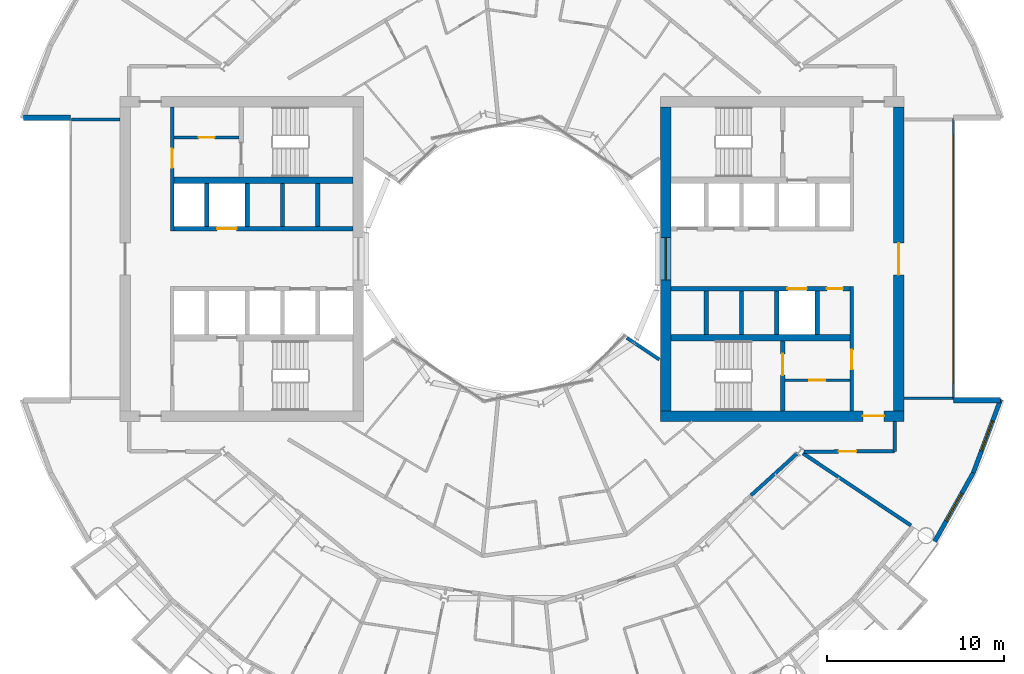
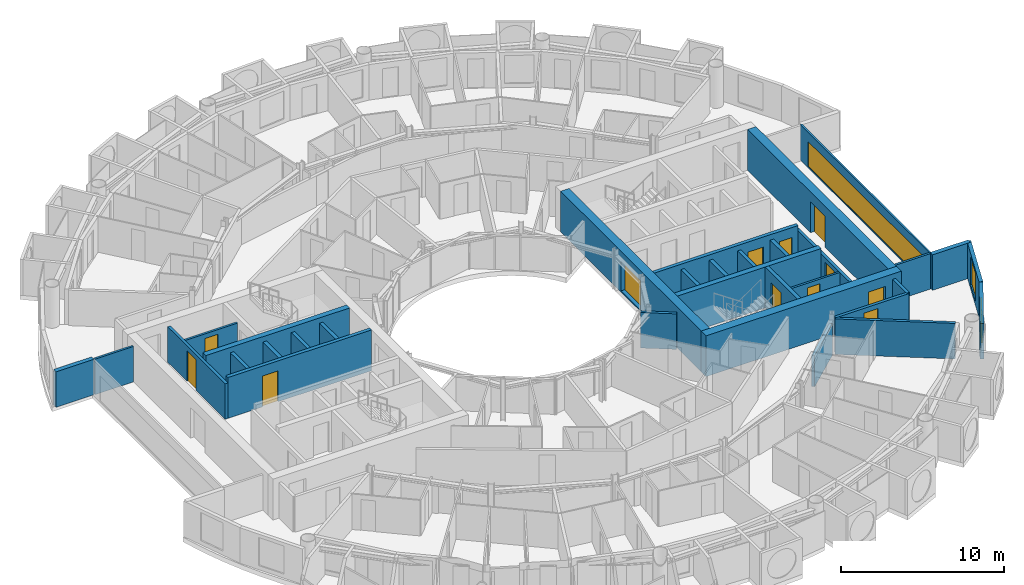
# One storey, part 18 of 27: 32 walls, 11 doors, 4 windows, 15 openings.
"""IFC4 building model written with IfcOpenShell, lengths in metres."""

from ifc_helpers import new_model, si_unit, direction, frame, frame_2d, origin, place, context, subcontext, project, spatial, rectangle, extrude, material, layer, layer_set, type_object, element, fill, save


model = new_model("IFC4")

# Units and contexts
model_context = context("Model", 3, precision=1e-05, world=origin(), true_north=direction((0.0, 1.0)))
body_context = subcontext(model_context, "Body", "Model", "MODEL_VIEW")
ifc_project = project(units=[si_unit("LENGTHUNIT", "METRE"), si_unit("AREAUNIT", "SQUARE_METRE"), si_unit("VOLUMEUNIT", "CUBIC_METRE"), si_unit("PLANEANGLEUNIT", "RADIAN"), si_unit("MASSUNIT", "GRAM", prefix="KILO")], contexts=[model_context])

# Site, building, storey
site_placement = place(None, origin())
site = spatial("IfcSite", under=ifc_project, at=site_placement, CompositionType="ELEMENT")
building_placement = place(site_placement, origin())
building = spatial("IfcBuilding", under=site, at=building_placement, Name="Maasbend Ring Residences", CompositionType="ELEMENT")
storey_placement = place(building_placement, frame((0.0, 0.0, 136.050048828125)))
storey = spatial("IfcBuildingStorey", under=building, at=storey_placement, Name="L39", CompositionType="ELEMENT", Elevation=136.050048828125)

# Wall, openings, doors
ifc_material_1 = material(Name="Concrete C60/75", Category="concrete")
ifc_layer_1 = layer(ifc_material_1, 0.25)
ifc_layer_set_1 = layer_set([ifc_layer_1], Name="Concrete C60/75")
wall_type_1 = type_object("IfcWallType", Name="CORE WALL 250 C60/75", PredefinedType="SHEAR", material=ifc_layer_set_1)
wall_1_placement = place(storey_placement, frame((19.14990234375, -1.699951171875, 0.0), z_axis=(0.0, 0.0, 1.0), x_axis=(-1.0, 0.0, 0.0)))
wall_1 = element("IfcWall", 1, at=wall_1_placement, inside=storey, type_object=wall_type_1, Name="L39 core E wall SPS", PredefinedType="SHEAR", context=body_context, shape_type="SweptSolid", body=[
    extrude(rectangle(XDim=10.14990234375, YDim=0.25, at=frame_2d((5.074951171875, 0.0))), origin(), (0.0, 0.0, 1.0), 3.050048828125),
])
opening_1_placement = place(wall_1_placement, frame((2.449951171875, 0.0, 0.0)))
opening_1 = element("IfcOpeningElement", 2, at=opening_1_placement, cuts=wall_1, Name="Opening LD-E3905", PredefinedType="OPENING", context=body_context, shape_type="SweptSolid", body=[
    extrude(rectangle(XDim=1.10009765625, YDim=2.300048828125, at=frame_2d((0.550048828125, 1.14990234375))), frame((0.0, 0.135009765625, 0.0), z_axis=(0.0, -1.0, 0.0), x_axis=(1.0, 0.0, 0.0)), (0.0, 0.0, 1.0), 0.27001953125),
])
opening_2_placement = place(wall_1_placement, frame((0.41259765625, 0.0, 0.0)))
opening_2 = element("IfcOpeningElement", 3, at=opening_2_placement, cuts=wall_1, Name="Opening D-E3906", PredefinedType="OPENING", context=body_context, shape_type="SweptSolid", body=[
    extrude(rectangle(XDim=0.89990234375, YDim=2.300048828125, at=frame_2d((0.449951171875, 1.14990234375))), frame((0.0, 0.135009765625, 0.0), z_axis=(0.0, -1.0, 0.0), x_axis=(1.0, 0.0, 0.0)), (0.0, 0.0, 1.0), 0.27001953125),
])
ifc_material_2 = material(Name="Stainless steel 316", Category="steel")
door_type_1 = type_object("IfcDoorType", Name="LANDING DOOR 1100 X 2300 FD60", OperationType="DOUBLE_DOOR_SLIDING", PredefinedType="DOOR", material=ifc_material_2)
door_1_placement = place(opening_1_placement, origin())
door_1 = element("IfcDoor", 4, at=door_1_placement, inside=storey, type_object=door_type_1, Name="Landing door SV-E L39", OperationType="DOUBLE_DOOR_SLIDING", OverallHeight=2.300048828125, OverallWidth=1.10009765625, PredefinedType="DOOR", context=body_context, shape_type="SweptSolid", body=[
    extrude(rectangle(XDim=1.10009765625, YDim=2.300048828125, at=frame_2d((0.550048828125, 1.14990234375))), frame((0.0, 0.02490234375, 0.0), z_axis=(0.0, -1.0, 0.0), x_axis=(1.0, 0.0, 0.0)), (0.0, 0.0, 1.0), 0.050048828125),
])
fill(opening_1, door_1)
ifc_material_3 = material(Name="Steel, powder coated", Category="steel")
door_type_2 = type_object("IfcDoorType", Name="ROOM DOOR 900 X 2300 FD30S", OperationType="NOTDEFINED", PredefinedType="DOOR", material=ifc_material_3)
door_2_placement = place(opening_2_placement, origin())
door_2 = element("IfcDoor", 5, at=door_2_placement, inside=storey, type_object=door_type_2, Name="Room door L39", OperationType="SINGLE_SWING_RIGHT", OverallHeight=2.300048828125, OverallWidth=0.89990234375, PredefinedType="DOOR", context=body_context, shape_type="SweptSolid", body=[
    extrude(rectangle(XDim=0.89990234375, YDim=2.300048828125, at=frame_2d((0.449951171875, 1.14990234375))), frame((0.0, 0.02490234375, 0.0), z_axis=(0.0, -1.0, 0.0), x_axis=(1.0, 0.0, 0.0)), (0.0, 0.0, 1.0), 0.050048828125),
])
fill(opening_2, door_2)

# Wall, opening, door
wall_2_placement = place(storey_placement, frame((15.324951171875, -8.60009765625, 0.0), z_axis=(0.0, 0.0, 1.0), x_axis=(0.0, 1.0, 0.0)))
wall_2 = element("IfcWall", 6, at=wall_2_placement, inside=storey, type_object=wall_type_1, Name="L39 core E wall STES", PredefinedType="SHEAR", context=body_context, shape_type="SweptSolid", body=[
    extrude(rectangle(XDim=3.9501953125, YDim=0.25, at=frame_2d((1.97509765625, 0.0))), origin(), (0.0, 0.0, 1.0), 3.050048828125),
])
opening_3_placement = place(wall_2_placement, frame((2.02490234375, 0.0, 0.0)))
opening_3 = element("IfcOpeningElement", 7, at=opening_3_placement, cuts=wall_2, Name="Opening D-E3909", PredefinedType="OPENING", context=body_context, shape_type="SweptSolid", body=[
    extrude(rectangle(XDim=1.199951171875, YDim=2.300048828125, at=frame_2d((0.60009765625, 1.14990234375))), frame((0.0, 0.135009765625, 0.0), z_axis=(0.0, -1.0, 0.0), x_axis=(1.0, 0.0, 0.0)), (0.0, 0.0, 1.0), 0.27001953125),
])
ifc_material_4 = material(Name="Steel, powder coated", Category="steel")
door_type_3 = type_object("IfcDoorType", Name="STAIR DOOR 1200 X 2300 FD60", OperationType="NOTDEFINED", PredefinedType="DOOR", material=ifc_material_4)
door_3_placement = place(opening_3_placement, origin())
door_3 = element("IfcDoor", 8, at=door_3_placement, inside=storey, type_object=door_type_3, Name="Stair door ST-E L39", OperationType="SINGLE_SWING_LEFT", OverallHeight=2.300048828125, OverallWidth=1.199951171875, PredefinedType="DOOR", context=body_context, shape_type="SweptSolid", body=[
    extrude(rectangle(XDim=1.199951171875, YDim=2.300048828125, at=frame_2d((0.60009765625, 1.14990234375))), frame((0.0, 0.02490234375, 0.0), z_axis=(0.0, -1.0, 0.0), x_axis=(1.0, 0.0, 0.0)), (0.0, 0.0, 1.0), 0.050048828125),
])
fill(opening_3, door_3)

wall_3_placement = place(storey_placement, frame((-9.0, 1.699951171875, 0.0), z_axis=(0.0, 0.0, 1.0), x_axis=(-1.0, 0.0, 0.0)))
wall_3 = element("IfcWall", 9, at=wall_3_placement, inside=storey, type_object=wall_type_1, Name="L39 core W wall SPS", PredefinedType="SHEAR", context=body_context, shape_type="SweptSolid", body=[
    extrude(rectangle(XDim=10.14990234375, YDim=0.25, at=frame_2d((5.074951171875, 0.0))), origin(), (0.0, 0.0, 1.0), 3.050048828125),
])
opening_4_placement = place(wall_3_placement, frame((6.60009765625, 0.0, 0.0)))
opening_4 = element("IfcOpeningElement", 10, at=opening_4_placement, cuts=wall_3, Name="Opening LD-W3905", PredefinedType="OPENING", context=body_context, shape_type="SweptSolid", body=[
    extrude(rectangle(XDim=1.10009765625, YDim=2.300048828125, at=frame_2d((0.550048828125, 1.14990234375))), frame((0.0, 0.135009765625, 0.0), z_axis=(0.0, -1.0, 0.0), x_axis=(1.0, 0.0, 0.0)), (0.0, 0.0, 1.0), 0.27001953125),
])
door_4_placement = place(opening_4_placement, origin())
door_4 = element("IfcDoor", 11, at=door_4_placement, inside=storey, type_object=door_type_1, Name="Landing door SV-W L39", OperationType="DOUBLE_DOOR_SLIDING", OverallHeight=2.300048828125, OverallWidth=1.10009765625, PredefinedType="DOOR", context=body_context, shape_type="SweptSolid", body=[
    extrude(rectangle(XDim=1.10009765625, YDim=2.300048828125, at=frame_2d((0.550048828125, 1.14990234375))), frame((0.0, 0.02490234375, 0.0), z_axis=(0.0, -1.0, 0.0), x_axis=(1.0, 0.0, 0.0)), (0.0, 0.0, 1.0), 0.050048828125),
])
fill(opening_4, door_4)

# Walls
ifc_material_5 = material(Name="Concrete C60/75", Category="concrete")
ifc_layer_2 = layer(ifc_material_5, 0.375)
ifc_layer_set_2 = layer_set([ifc_layer_2], Name="Concrete C60/75")
wall_type_2 = type_object("IfcWallType", Name="CORE WALL 375 C60/75", PredefinedType="SHEAR", material=ifc_layer_set_2)
for number, where, z_axis, x_axis, name in (
    (12, (9.0, -4.46240234375, 0.0), (0.0, 0.0, 1.0), (1.0, 0.0, 0.0), "L39 core E wall BS"),
    (13, (-9.0, 4.46240234375, 0.0), (0.0, 0.0, 1.0), (-1.0, 0.0, 0.0), "L39 core W wall BS"),
):
    element("IfcWall", number, at=place(storey_placement, frame(where, z_axis=z_axis, x_axis=x_axis)), inside=storey, type_object=wall_type_2, Name=name, PredefinedType="SHEAR", context=body_context, shape_type="SweptSolid", body=[
        extrude(rectangle(XDim=10.14990234375, YDim=0.375, at=frame_2d((5.074951171875, 0.0))), origin(), (0.0, 0.0, 1.0), 3.050048828125),
    ])

# Wall, opening, door
ifc_material_6 = material(Name="Concrete C60/75", Category="concrete")
ifc_layer_3 = layer(ifc_material_6, 0.60009765625)
ifc_layer_set_3 = layer_set([ifc_layer_3], Name="Concrete C60/75")
wall_type_3 = type_object("IfcWallType", Name="CORE WALL 600 C60/75", PredefinedType="SHEAR", material=ifc_layer_set_3)
wall_4_placement = place(storey_placement, frame((8.39990234375, -8.89990234375, 0.0), z_axis=(0.0, 0.0, 1.0), x_axis=(1.0, 0.0, 0.0)))
wall_4 = element("IfcWall", 14, at=wall_4_placement, inside=storey, type_object=wall_type_3, Name="L39 core E wall PS", PredefinedType="SHEAR", context=body_context, shape_type="SweptSolid", body=[
    extrude(rectangle(XDim=13.800048828125, YDim=0.60009765625, at=frame_2d((6.89990234375, 0.0))), origin(), (0.0, 0.0, 1.0), 3.050048828125),
])
opening_5_placement = place(wall_4_placement, frame((11.47509765625, 0.0, 0.0)))
opening_5 = element("IfcOpeningElement", 15, at=opening_5_placement, cuts=wall_4, Name="Opening D-E3913", PredefinedType="OPENING", context=body_context, shape_type="SweptSolid", body=[
    extrude(rectangle(XDim=1.199951171875, YDim=2.300048828125, at=frame_2d((0.60009765625, 1.14990234375))), frame((0.0, 0.31005859375, 0.0), z_axis=(0.0, -1.0, 0.0), x_axis=(1.0, 0.0, 0.0)), (0.0, 0.0, 1.0), 0.6201171875),
])
ifc_material_7 = material(Name="Steel, powder coated", Category="steel")
door_type_4 = type_object("IfcDoorType", Name="CORRIDOR DOOR 1200 X 2300 FD30S", OperationType="NOTDEFINED", PredefinedType="DOOR", material=ifc_material_7)
door_5_placement = place(opening_5_placement, origin())
door_5 = element("IfcDoor", 16, at=door_5_placement, inside=storey, type_object=door_type_4, Name="Corridor door L39", OperationType="SINGLE_SWING_LEFT", OverallHeight=2.300048828125, OverallWidth=1.199951171875, PredefinedType="DOOR", context=body_context, shape_type="SweptSolid", body=[
    extrude(rectangle(XDim=1.199951171875, YDim=2.300048828125, at=frame_2d((0.60009765625, 1.14990234375))), frame((0.0, 0.02490234375, 0.0), z_axis=(0.0, -1.0, 0.0), x_axis=(1.0, 0.0, 0.0)), (0.0, 0.0, 1.0), 0.050048828125),
])
fill(opening_5, door_5)

wall_5_placement = place(storey_placement, frame((21.89990234375, 8.60009765625, 0.0), z_axis=(0.0, 0.0, 1.0), x_axis=(0.0, -1.0, 0.0)))
wall_5 = element("IfcWall", 17, at=wall_5_placement, inside=storey, type_object=wall_type_3, Name="L39 core E wall POUT", PredefinedType="SHEAR", context=body_context, shape_type="SweptSolid", body=[
    extrude(rectangle(XDim=17.2001953125, YDim=0.60009765625, at=frame_2d((8.60009765625, 0.0))), origin(), (0.0, 0.0, 1.0), 3.050048828125),
])
opening_6_placement = place(wall_5_placement, frame((7.699951171875, 0.0, 0.0)))
opening_6 = element("IfcOpeningElement", 18, at=opening_6_placement, cuts=wall_5, Name="Opening D-E3914", PredefinedType="OPENING", context=body_context, shape_type="SweptSolid", body=[
    extrude(rectangle(XDim=1.800048828125, YDim=2.300048828125, at=frame_2d((0.89990234375, 1.14990234375))), frame((0.0, 0.31005859375, 0.0), z_axis=(0.0, -1.0, 0.0), x_axis=(1.0, 0.0, 0.0)), (0.0, 0.0, 1.0), 0.6201171875),
])
ifc_material_8 = material(Name="Aluminium frame, clear glass", Category="aluminium")
door_type_5 = type_object("IfcDoorType", Name="ENTRANCE DOOR 1800 X 2300 FD60", OperationType="NOTDEFINED", PredefinedType="DOOR", material=ifc_material_8)
door_6_placement = place(opening_6_placement, origin())
door_6 = element("IfcDoor", 19, at=door_6_placement, inside=storey, type_object=door_type_5, Name="Lobby glazed door L39", OperationType="SINGLE_SWING_LEFT", OverallHeight=2.300048828125, OverallWidth=1.800048828125, PredefinedType="DOOR", context=body_context, shape_type="SweptSolid", body=[
    extrude(rectangle(XDim=1.800048828125, YDim=2.300048828125, at=frame_2d((0.89990234375, 1.14990234375))), frame((0.0, 0.02490234375, 0.0), z_axis=(0.0, -1.0, 0.0), x_axis=(1.0, 0.0, 0.0)), (0.0, 0.0, 1.0), 0.050048828125),
])
fill(opening_6, door_6)

# Wall, opening, window
wall_6_placement = place(storey_placement, frame((8.699951171875, -8.60009765625, 0.0), z_axis=(0.0, 0.0, 1.0), x_axis=(0.0, 1.0, 0.0)))
wall_6 = element("IfcWall", 20, at=wall_6_placement, inside=storey, type_object=wall_type_3, Name="L39 core E wall PIN", PredefinedType="SHEAR", context=body_context, shape_type="SweptSolid", body=[
    extrude(rectangle(XDim=17.2001953125, YDim=0.60009765625, at=frame_2d((8.60009765625, 0.0))), origin(), (0.0, 0.0, 1.0), 3.050048828125),
])
opening_7_placement = place(wall_6_placement, frame((7.39990234375, 0.0, 0.10009765625)))
opening_7 = element("IfcOpeningElement", 21, at=opening_7_placement, cuts=wall_6, Name="Opening W-E3901", PredefinedType="OPENING", context=body_context, shape_type="SweptSolid", body=[
    extrude(rectangle(XDim=2.39990234375, YDim=2.199951171875, at=frame_2d((1.199951171875, 1.10009765625))), frame((0.0, 0.31005859375, 0.0), z_axis=(0.0, -1.0, 0.0), x_axis=(1.0, 0.0, 0.0)), (0.0, 0.0, 1.0), 0.6201171875),
])
ifc_material_9 = material(Name="Aluminium frame and clear glass", Category="aluminium")
window_type_1 = type_object("IfcWindowType", Name="FIXED WINDOW 2400 X 2200", PartitioningType="SINGLE_PANEL", PredefinedType="WINDOW", material=ifc_material_9)
window_1_placement = place(opening_7_placement, origin())
window_1 = element("IfcWindow", 22, at=window_1_placement, inside=storey, type_object=window_type_1, Name="Lobby window L39", OverallHeight=2.199951171875, OverallWidth=2.39990234375, PartitioningType="SINGLE_PANEL", PredefinedType="WINDOW", context=body_context, shape_type="SweptSolid", body=[
    extrude(rectangle(XDim=2.39990234375, YDim=2.199951171875, at=frame_2d((1.199951171875, 1.10009765625))), frame((0.0, 0.030029296875, 0.0), z_axis=(0.0, -1.0, 0.0), x_axis=(1.0, 0.0, 0.0)), (0.0, 0.0, 1.0), 0.06005859375),
])
fill(opening_7, window_1)

# Walls
ifc_material_10 = material(Name="Concrete C30/37", Category="concrete")
ifc_layer_4 = layer(ifc_material_10, 0.199951171875)
ifc_layer_set_4 = layer_set([ifc_layer_4], Name="Concrete C30/37")
wall_type_4 = type_object("IfcWallType", Name="CORRIDOR WALL 200 CONCRETE", PredefinedType="PARTITIONING", material=ifc_layer_set_4)
wall_7_placement = place(storey_placement, frame((21.675048828125, -10.89990234375, 0.0), z_axis=(0.0, 0.0, 1.0), x_axis=(0.0, 1.0, 0.0)))
element("IfcWall", 23, at=wall_7_placement, inside=storey, type_object=wall_type_4, Name="U-L39-w003", PredefinedType="PARTITIONING", context=body_context, shape_type="SweptSolid", body=[
    extrude(rectangle(XDim=1.699951171875, YDim=0.199951171875, at=frame_2d((0.85009765625, 0.0))), origin(), (0.0, 0.0, 1.0), 2.64990234375),
])
wall_8_placement = place(storey_placement, frame((13.544921875, -13.384033203125, 0.0), z_axis=(0.0, 0.0, 1.0), x_axis=(0.740607766684, 0.671937598239, 0.0)))
element("IfcWall", 24, at=wall_8_placement, inside=storey, type_object=wall_type_4, Name="U-L39-w014", PredefinedType="PARTITIONING", context=body_context, shape_type="SweptSolid", body=[
    extrude(rectangle(XDim=3.55517578125, YDim=0.199951171875, at=frame_2d((1.777587890625, 0.0))), origin(), (0.0, 0.0, 1.0), 2.33984375),
])

# Wall, opening, door
wall_9_placement = place(storey_placement, frame((16.5400390625, -10.9130859375, 0.0), z_axis=(0.0, 0.0, 1.0), x_axis=(0.99999670426, 0.002567385634, 0.0)))
wall_9 = element("IfcWall", 25, at=wall_9_placement, inside=storey, type_object=wall_type_4, Name="U-L39-w026", PredefinedType="PARTITIONING", context=body_context, shape_type="SweptSolid", body=[
    extrude(rectangle(XDim=5.135009765625, YDim=0.199951171875, at=frame_2d((2.5673828125, 0.0))), origin(), (0.0, 0.0, 1.0), 2.64990234375),
])
opening_8_placement = place(wall_9_placement, frame((1.965087890625, 0.0, 0.0)))
opening_8 = element("IfcOpeningElement", 26, at=opening_8_placement, cuts=wall_9, Name="Opening D-3973", PredefinedType="OPENING", context=body_context, shape_type="SweptSolid", body=[
    extrude(rectangle(XDim=1.0, YDim=2.300048828125, at=frame_2d((0.5, 1.14990234375))), frame((0.0, 0.10986328125, 0.0), z_axis=(0.0, -1.0, 0.0), x_axis=(1.0, 0.0, 0.0)), (0.0, 0.0, 1.0), 0.219970703125),
])
ifc_material_11 = material(Name="Timber, painted", Category="wood")
door_type_6 = type_object("IfcDoorType", Name="ROOM DOOR 1000 X 2300", OperationType="NOTDEFINED", PredefinedType="DOOR", material=ifc_material_11)
door_7_placement = place(opening_8_placement, origin())
door_7 = element("IfcDoor", 27, at=door_7_placement, inside=storey, type_object=door_type_6, Name="D-3973", OperationType="SINGLE_SWING_LEFT", OverallHeight=2.300048828125, OverallWidth=1.0, PredefinedType="DOOR", context=body_context, shape_type="SweptSolid", body=[
    extrude(rectangle(XDim=1.0, YDim=2.300048828125, at=frame_2d((0.5, 1.14990234375))), frame((0.0, 0.02490234375, 0.0), z_axis=(0.0, -1.0, 0.0), x_axis=(1.0, 0.0, 0.0)), (0.0, 0.0, 1.0), 0.050048828125),
])
fill(opening_8, door_7)

# Wall, opening, window
ifc_material_12 = material(Name="Aluminium clad insulated panel", Category="aluminium")
ifc_layer_5 = layer(ifc_material_12, 0.25)
ifc_layer_set_5 = layer_set([ifc_layer_5], Name="EW-HORN")
wall_type_5 = type_object("IfcWallType", Name="EW-HORN", PredefinedType="SOLIDWALL", material=ifc_layer_set_5)
wall_10_placement = place(storey_placement, frame((23.946044921875, -16.0, 0.0), z_axis=(0.0, 0.0, 1.0), x_axis=(0.489696356642, 0.871893042919, 0.0)))
wall_10 = element("IfcWall", 28, at=wall_10_placement, inside=storey, type_object=wall_type_5, Name="Horn wall 2.1", PredefinedType="SOLIDWALL", context=body_context, shape_type="SweptSolid", body=[
    extrude(rectangle(XDim=4.45361328125, YDim=0.25, at=frame_2d((2.226806640625, 0.0))), origin(), (0.0, 0.0, 1.0), 2.64990234375),
])
opening_9_placement = place(wall_10_placement, frame((1.32666015625, 0.0, 0.300048828125)))
opening_9 = element("IfcOpeningElement", 29, at=opening_9_placement, cuts=wall_10, Name="Opening W-BX", PredefinedType="OPENING", context=body_context, shape_type="SweptSolid", body=[
    extrude(rectangle(XDim=1.800048828125, YDim=2.10009765625, at=frame_2d((0.89990234375, 1.050048828125))), frame((0.0, 0.135009765625, 0.0), z_axis=(0.0, -1.0, 0.0), x_axis=(1.0, 0.0, 0.0)), (0.0, 0.0, 1.0), 0.27001953125),
])
ifc_material_13 = material(Name="Aluminium and clear glass", Category="aluminium")
window_type_2 = type_object("IfcWindowType", Name="W-BX", PartitioningType="DOUBLE_PANEL_VERTICAL", PredefinedType="WINDOW", material=ifc_material_13)
window_2_placement = place(opening_9_placement, origin())
window_2 = element("IfcWindow", 30, at=window_2_placement, inside=storey, type_object=window_type_2, Name="Horn window 2.1", OverallHeight=2.10009765625, OverallWidth=1.800048828125, PartitioningType="SINGLE_PANEL", PredefinedType="WINDOW", context=body_context, shape_type="SweptSolid", body=[
    extrude(rectangle(XDim=1.800048828125, YDim=2.10009765625, at=frame_2d((0.89990234375, 1.050048828125))), frame((0.0, 0.030029296875, 0.0), z_axis=(0.0, -1.0, 0.0), x_axis=(1.0, 0.0, 0.0)), (0.0, 0.0, 1.0), 0.06005859375),
])
fill(opening_9, window_2)

wall_11_placement = place(storey_placement, frame((26.126953125, -12.116943359375, 0.0), z_axis=(0.0, 0.0, 1.0), x_axis=(0.349247811493, 0.937030397675, 0.0)))
wall_11 = element("IfcWall", 31, at=wall_11_placement, inside=storey, type_object=wall_type_5, Name="Horn wall 2.2", PredefinedType="SOLIDWALL", context=body_context, shape_type="SweptSolid", body=[
    extrude(rectangle(XDim=4.4521484375, YDim=0.25, at=frame_2d((2.22607421875, 0.0))), origin(), (0.0, 0.0, 1.0), 2.64990234375),
])
opening_10_placement = place(wall_11_placement, frame((1.32666015625, 0.0, 0.300048828125)))
opening_10 = element("IfcOpeningElement", 32, at=opening_10_placement, cuts=wall_11, Name="Opening W-BX", PredefinedType="OPENING", context=body_context, shape_type="SweptSolid", body=[
    extrude(rectangle(XDim=1.800048828125, YDim=2.10009765625, at=frame_2d((0.89990234375, 1.050048828125))), frame((0.0, 0.135009765625, 0.0), z_axis=(0.0, -1.0, 0.0), x_axis=(1.0, 0.0, 0.0)), (0.0, 0.0, 1.0), 0.27001953125),
])
window_3_placement = place(opening_10_placement, origin())
window_3 = element("IfcWindow", 33, at=window_3_placement, inside=storey, type_object=window_type_2, Name="Horn window 2.2", OverallHeight=2.10009765625, OverallWidth=1.800048828125, PartitioningType="SINGLE_PANEL", PredefinedType="WINDOW", context=body_context, shape_type="SweptSolid", body=[
    extrude(rectangle(XDim=1.800048828125, YDim=2.10009765625, at=frame_2d((0.89990234375, 1.050048828125))), frame((0.0, 0.030029296875, 0.0), z_axis=(0.0, -1.0, 0.0), x_axis=(1.0, 0.0, 0.0)), (0.0, 0.0, 1.0), 0.06005859375),
])
fill(opening_10, window_3)

# Walls
ifc_material_14 = material(Name="Aluminium clad insulated panel", Category="aluminium")
ifc_layer_6 = layer(ifc_material_14, 0.300048828125)
ifc_layer_set_6 = layer_set([ifc_layer_6], Name="EW-RET")
wall_type_6 = type_object("IfcWallType", Name="EW-RET", PredefinedType="SOLIDWALL", material=ifc_layer_set_6)
for number, where, z_axis, x_axis, name in (
    (34, (25.0, -8.0, 0.0), (0.0, 0.0, 1.0), (1.0, 0.0, 0.0), "Notch return wall east south"),
    (35, (-25.0, 8.0, 0.0), (0.0, 0.0, 1.0), (-1.0, 0.0, 0.0), "Notch return wall west north"),
):
    element("IfcWall", number, at=place(storey_placement, frame(where, z_axis=z_axis, x_axis=x_axis)), inside=storey, type_object=wall_type_6, Name=name, PredefinedType="SOLIDWALL", context=body_context, shape_type="SweptSolid", body=[
        extrude(rectangle(XDim=2.6669921875, YDim=0.300048828125, at=frame_2d((1.33349609375, 0.0))), origin(), (0.0, 0.0, 1.0), 2.64990234375),
    ])

# Wall, opening, window
ifc_material_15 = material(Name="Aluminium frame and clear glass", Category="aluminium")
ifc_layer_7 = layer(ifc_material_15, 0.1201171875)
ifc_layer_set_7 = layer_set([ifc_layer_7], Name="GLAZED SCREEN WALL 120 EI 60")
wall_type_7 = type_object("IfcWallType", Name="GLAZED SCREEN WALL 120 EI 60", PredefinedType="PARTITIONING", material=ifc_layer_set_7)
wall_12_placement = place(storey_placement, frame((25.0, -7.949951171875, 0.0), z_axis=(0.0, 0.0, 1.0), x_axis=(0.0, 1.0, 0.0)))
wall_12 = element("IfcWall", 36, at=wall_12_placement, inside=storey, type_object=wall_type_7, Name="L39 core E wall FACE", PredefinedType="PARTITIONING", context=body_context, shape_type="SweptSolid", body=[
    extrude(rectangle(XDim=15.89990234375, YDim=0.1201171875, at=frame_2d((7.949951171875, 0.0))), origin(), (0.0, 0.0, 1.0), 2.64990234375),
])
opening_11_placement = place(wall_12_placement, frame((0.949951171875, 0.0, 0.10009765625)))
opening_11 = element("IfcOpeningElement", 37, at=opening_11_placement, cuts=wall_12, Name="Opening W-E3902", PredefinedType="OPENING", context=body_context, shape_type="SweptSolid", body=[
    extrude(rectangle(XDim=14.0, YDim=1.85009765625, at=frame_2d((7.0, 0.925048828125))), frame((0.0, 0.070068359375, 0.0), z_axis=(0.0, -1.0, 0.0), x_axis=(1.0, 0.0, 0.0)), (0.0, 0.0, 1.0), 0.14013671875),
])
ifc_material_16 = material(Name="Aluminium frame and clear glass", Category="aluminium")
window_type_3 = type_object("IfcWindowType", Name="FIXED WINDOW 14000 X 1850", PartitioningType="SINGLE_PANEL", PredefinedType="WINDOW", material=ifc_material_16)
window_4_placement = place(opening_11_placement, origin())
window_4 = element("IfcWindow", 38, at=window_4_placement, inside=storey, type_object=window_type_3, Name="Lobby window L39", OverallHeight=1.85009765625, OverallWidth=14.0, PartitioningType="SINGLE_PANEL", PredefinedType="WINDOW", context=body_context, shape_type="SweptSolid", body=[
    extrude(rectangle(XDim=14.0, YDim=1.85009765625, at=frame_2d((7.0, 0.925048828125))), frame((0.0, 0.030029296875, 0.0), z_axis=(0.0, -1.0, 0.0), x_axis=(1.0, 0.0, 0.0)), (0.0, 0.0, 1.0), 0.06005859375),
])
fill(opening_11, window_4)

# Wall, opening, door
ifc_material_17 = material(Name="Gypsum board on steel studs", Category="steel")
ifc_layer_8 = layer(ifc_material_17, 0.14990234375)
ifc_layer_set_8 = layer_set([ifc_layer_8], Name="PARTITION 150 EI 60")
wall_type_8 = type_object("IfcWallType", Name="PARTITION 150 EI 60", PredefinedType="PARTITIONING", material=ifc_layer_set_8)
wall_13_placement = place(storey_placement, frame((15.449951171875, -6.875, 0.0), z_axis=(0.0, 0.0, 1.0), x_axis=(1.0, 0.0, 0.0)))
wall_13 = element("IfcWall", 39, at=wall_13_placement, inside=storey, type_object=wall_type_8, Name="L39 core E wall RHS", PredefinedType="PARTITIONING", context=body_context, shape_type="SweptSolid", body=[
    extrude(rectangle(XDim=3.699951171875, YDim=0.14990234375, at=frame_2d((1.85009765625, 0.0))), origin(), (0.0, 0.0, 1.0), 2.64990234375),
])
opening_12_placement = place(wall_13_placement, frame((1.39990234375, 0.0, 0.0)))
opening_12 = element("IfcOpeningElement", 40, at=opening_12_placement, cuts=wall_13, Name="Opening D-E3907", PredefinedType="OPENING", context=body_context, shape_type="SweptSolid", body=[
    extrude(rectangle(XDim=0.89990234375, YDim=2.300048828125, at=frame_2d((0.449951171875, 1.14990234375))), frame((0.0, 0.0849609375, 0.0), z_axis=(0.0, -1.0, 0.0), x_axis=(1.0, 0.0, 0.0)), (0.0, 0.0, 1.0), 0.169921875),
])
ifc_material_18 = material(Name="Steel, powder coated", Category="steel")
door_type_7 = type_object("IfcDoorType", Name="RISER DOOR 900 X 2300 FD60", OperationType="NOTDEFINED", PredefinedType="DOOR", material=ifc_material_18)
door_8_placement = place(opening_12_placement, origin())
door_8 = element("IfcDoor", 41, at=door_8_placement, inside=storey, type_object=door_type_7, Name="Riser door L39", OperationType="SINGLE_SWING_LEFT", OverallHeight=2.300048828125, OverallWidth=0.89990234375, PredefinedType="DOOR", context=body_context, shape_type="SweptSolid", body=[
    extrude(rectangle(XDim=0.89990234375, YDim=2.300048828125, at=frame_2d((0.449951171875, 1.14990234375))), frame((0.0, 0.02490234375, 0.0), z_axis=(0.0, -1.0, 0.0), x_axis=(1.0, 0.0, 0.0)), (0.0, 0.0, 1.0), 0.050048828125),
])
fill(opening_12, door_8)

# Wall
wall_14_placement = place(storey_placement, frame((22.199951171875, -7.89990234375, 0.0), z_axis=(0.0, 0.0, 1.0), x_axis=(1.0, 0.0, 0.0)))
element("IfcWall", 42, at=wall_14_placement, inside=storey, type_object=wall_type_8, Name="L39 core E wall CITS", PredefinedType="PARTITIONING", context=body_context, shape_type="SweptSolid", body=[
    extrude(rectangle(XDim=2.739990234375, YDim=0.14990234375, at=frame_2d((1.3701171875, 0.0))), origin(), (0.0, 0.0, 1.0), 2.64990234375),
])

# Wall, opening, door
wall_15_placement = place(storey_placement, frame((-15.449951171875, 6.875, 0.0), z_axis=(0.0, 0.0, 1.0), x_axis=(-1.0, 0.0, 0.0)))
wall_15 = element("IfcWall", 43, at=wall_15_placement, inside=storey, type_object=wall_type_8, Name="L39 core W wall RHS", PredefinedType="PARTITIONING", context=body_context, shape_type="SweptSolid", body=[
    extrude(rectangle(XDim=3.699951171875, YDim=0.14990234375, at=frame_2d((1.85009765625, 0.0))), origin(), (0.0, 0.0, 1.0), 2.64990234375),
])
opening_13_placement = place(wall_15_placement, frame((1.39990234375, 0.0, 0.0)))
opening_13 = element("IfcOpeningElement", 44, at=opening_13_placement, cuts=wall_15, Name="Opening D-W3906", PredefinedType="OPENING", context=body_context, shape_type="SweptSolid", body=[
    extrude(rectangle(XDim=0.89990234375, YDim=2.300048828125, at=frame_2d((0.449951171875, 1.14990234375))), frame((0.0, 0.0849609375, 0.0), z_axis=(0.0, -1.0, 0.0), x_axis=(1.0, 0.0, 0.0)), (0.0, 0.0, 1.0), 0.169921875),
])
door_9_placement = place(opening_13_placement, origin())
door_9 = element("IfcDoor", 45, at=door_9_placement, inside=storey, type_object=door_type_7, Name="Riser door L39", OperationType="SINGLE_SWING_LEFT", OverallHeight=2.300048828125, OverallWidth=0.89990234375, PredefinedType="DOOR", context=body_context, shape_type="SweptSolid", body=[
    extrude(rectangle(XDim=0.89990234375, YDim=2.300048828125, at=frame_2d((0.449951171875, 1.14990234375))), frame((0.0, 0.02490234375, 0.0), z_axis=(0.0, -1.0, 0.0), x_axis=(1.0, 0.0, 0.0)), (0.0, 0.0, 1.0), 0.050048828125),
])
fill(opening_13, door_9)

# Walls
wall_16_placement = place(storey_placement, frame((-22.199951171875, 7.89990234375, 0.0), z_axis=(0.0, 0.0, 1.0), x_axis=(-1.0, 0.0, 0.0)))
element("IfcWall", 46, at=wall_16_placement, inside=storey, type_object=wall_type_8, Name="L39 core W wall CITS", PredefinedType="PARTITIONING", context=body_context, shape_type="SweptSolid", body=[
    extrude(rectangle(XDim=2.739990234375, YDim=0.14990234375, at=frame_2d((1.3701171875, 0.0))), origin(), (0.0, 0.0, 1.0), 2.64990234375),
])
ifc_material_19 = material(Name="Concrete C30/37", Category="concrete")
ifc_layer_9 = layer(ifc_material_19, 0.199951171875)
ifc_layer_set_9 = layer_set([ifc_layer_9], Name="Concrete C30/37")
wall_type_9 = type_object("IfcWallType", Name="PARTY WALL 200 CONCRETE", PredefinedType="PARTITIONING", material=ifc_layer_set_9)
wall_17_placement = place(storey_placement, frame((6.512939453125, -4.471923828125, 0.0), z_axis=(0.0, 0.0, 1.0), x_axis=(0.831333375071, -0.555774072347, 0.0)))
element("IfcWall", 47, at=wall_17_placement, inside=storey, type_object=wall_type_9, Name="U-L39-w028", PredefinedType="PARTITIONING", context=body_context, shape_type="SweptSolid", body=[
    extrude(rectangle(XDim=2.20263671875, YDim=0.199951171875, at=frame_2d((1.101318359375, 0.0))), origin(), (0.0, 0.0, 1.0), 2.64990234375),
])
wall_18_placement = place(storey_placement, frame((16.47705078125, -11.009033203125, 0.0), z_axis=(0.0, 0.0, 1.0), x_axis=(0.831467903109, -0.555572791, 0.0)))
element("IfcWall", 48, at=wall_18_placement, inside=storey, type_object=wall_type_9, Name="U-L39-w094", PredefinedType="PARTITIONING", context=body_context, shape_type="SweptSolid", body=[
    extrude(rectangle(XDim=7.35791015625, YDim=0.199951171875, at=frame_2d((3.678955078125, 0.0))), origin(), (0.0, 0.0, 1.0), 2.64990234375),
])

# Wall, opening, door
ifc_material_20 = material(Name="Concrete C30/37", Category="concrete")
ifc_layer_10 = layer(ifc_material_20, 0.199951171875)
ifc_layer_set_10 = layer_set([ifc_layer_10], Name="Concrete C30/37")
wall_type_10 = type_object("IfcWallType", Name="SHAFT WALL 200 EI 120", PredefinedType="SOLIDWALL", material=ifc_layer_set_10)
wall_19_placement = place(storey_placement, frame((19.25, -8.60009765625, 0.0), z_axis=(0.0, 0.0, 1.0), x_axis=(0.0, 1.0, 0.0)))
wall_19 = element("IfcWall", 49, at=wall_19_placement, inside=storey, type_object=wall_type_10, Name="L39 core E wall ENDS", PredefinedType="SOLIDWALL", context=body_context, shape_type="SweptSolid", body=[
    extrude(rectangle(XDim=7.025146484375, YDim=0.199951171875, at=frame_2d((3.5126953125, 0.0))), origin(), (0.0, 0.0, 1.0), 2.64990234375),
])
opening_14_placement = place(wall_19_placement, frame((2.35009765625, 0.0, 0.0)))
opening_14 = element("IfcOpeningElement", 50, at=opening_14_placement, cuts=wall_19, Name="Opening D-E3911", PredefinedType="OPENING", context=body_context, shape_type="SweptSolid", body=[
    extrude(rectangle(XDim=1.10009765625, YDim=2.300048828125, at=frame_2d((0.550048828125, 1.14990234375))), frame((0.0, 0.10986328125, 0.0), z_axis=(0.0, -1.0, 0.0), x_axis=(1.0, 0.0, 0.0)), (0.0, 0.0, 1.0), 0.219970703125),
])
ifc_material_21 = material(Name="Steel, powder coated", Category="steel")
door_type_8 = type_object("IfcDoorType", Name="LOBBY DOOR 1100 X 2300 FD60", OperationType="NOTDEFINED", PredefinedType="DOOR", material=ifc_material_21)
door_10_placement = place(opening_14_placement, origin())
door_10 = element("IfcDoor", 51, at=door_10_placement, inside=storey, type_object=door_type_8, Name="Lobby door L39", OperationType="SINGLE_SWING_RIGHT", OverallHeight=2.300048828125, OverallWidth=1.10009765625, PredefinedType="DOOR", context=body_context, shape_type="SweptSolid", body=[
    extrude(rectangle(XDim=1.10009765625, YDim=2.300048828125, at=frame_2d((0.550048828125, 1.14990234375))), frame((0.0, 0.02490234375, 0.0), z_axis=(0.0, -1.0, 0.0), x_axis=(1.0, 0.0, 0.0)), (0.0, 0.0, 1.0), 0.050048828125),
])
fill(opening_14, door_10)

wall_20_placement = place(storey_placement, frame((-19.25, 8.60009765625, 0.0), z_axis=(0.0, 0.0, 1.0), x_axis=(0.0, -1.0, 0.0)))
wall_20 = element("IfcWall", 52, at=wall_20_placement, inside=storey, type_object=wall_type_10, Name="L39 core W wall ENDS", PredefinedType="SOLIDWALL", context=body_context, shape_type="SweptSolid", body=[
    extrude(rectangle(XDim=7.025146484375, YDim=0.199951171875, at=frame_2d((3.5126953125, 0.0))), origin(), (0.0, 0.0, 1.0), 2.64990234375),
])
opening_15_placement = place(wall_20_placement, frame((2.35009765625, 0.0, 0.0)))
opening_15 = element("IfcOpeningElement", 53, at=opening_15_placement, cuts=wall_20, Name="Opening D-W3910", PredefinedType="OPENING", context=body_context, shape_type="SweptSolid", body=[
    extrude(rectangle(XDim=1.10009765625, YDim=2.300048828125, at=frame_2d((0.550048828125, 1.14990234375))), frame((0.0, 0.10986328125, 0.0), z_axis=(0.0, -1.0, 0.0), x_axis=(1.0, 0.0, 0.0)), (0.0, 0.0, 1.0), 0.219970703125),
])
door_11_placement = place(opening_15_placement, origin())
door_11 = element("IfcDoor", 54, at=door_11_placement, inside=storey, type_object=door_type_8, Name="Lobby door L39", OperationType="SINGLE_SWING_RIGHT", OverallHeight=2.300048828125, OverallWidth=1.10009765625, PredefinedType="DOOR", context=body_context, shape_type="SweptSolid", body=[
    extrude(rectangle(XDim=1.10009765625, YDim=2.300048828125, at=frame_2d((0.550048828125, 1.14990234375))), frame((0.0, 0.02490234375, 0.0), z_axis=(0.0, -1.0, 0.0), x_axis=(1.0, 0.0, 0.0)), (0.0, 0.0, 1.0), 0.050048828125),
])
fill(opening_15, door_11)

# Walls
ifc_material_22 = material(Name="Concrete C30/37", Category="concrete")
ifc_layer_11 = layer(ifc_material_22, 0.25)
ifc_layer_set_11 = layer_set([ifc_layer_11], Name="Concrete C30/37")
wall_type_11 = type_object("IfcWallType", Name="SHAFT WALL 250 EI 120", PredefinedType="SOLIDWALL", material=ifc_layer_set_11)
for number, where, z_axis, x_axis, name in (
    (55, (15.0, -1.824951171875, 0.0), (0.0, 0.0, 1.0), (0.0, -1.0, 0.0), "L39 core E wall D150S"),
    (56, (17.300048828125, -1.824951171875, 0.0), (0.0, 0.0, 1.0), (0.0, -1.0, 0.0), "L39 core E wall D173S"),
    (57, (11.0, -1.824951171875, 0.0), (0.0, 0.0, 1.0), (0.0, -1.0, 0.0), "L39 core E wall D110S"),
    (58, (13.0, -1.824951171875, 0.0), (0.0, 0.0, 1.0), (0.0, -1.0, 0.0), "L39 core E wall D130S"),
    (59, (-15.0, 1.824951171875, 0.0), (0.0, 0.0, 1.0), (0.0, 1.0, 0.0), "L39 core W wall D150S"),
    (60, (-17.300048828125, 1.824951171875, 0.0), (0.0, 0.0, 1.0), (0.0, 1.0, 0.0), "L39 core W wall D173S"),
    (61, (-11.0, 1.824951171875, 0.0), (0.0, 0.0, 1.0), (0.0, 1.0, 0.0), "L39 core W wall D110S"),
    (62, (-13.0, 1.824951171875, 0.0), (0.0, 0.0, 1.0), (0.0, 1.0, 0.0), "L39 core W wall D130S"),
):
    element("IfcWall", number, at=place(storey_placement, frame(where, z_axis=z_axis, x_axis=x_axis)), inside=storey, type_object=wall_type_11, Name=name, PredefinedType="SOLIDWALL", context=body_context, shape_type="SweptSolid", body=[
        extrude(rectangle(XDim=2.449951171875, YDim=0.25, at=frame_2d((1.22509765625, 0.0))), origin(), (0.0, 0.0, 1.0), 2.64990234375),
    ])

save(model, "model.ifc")
